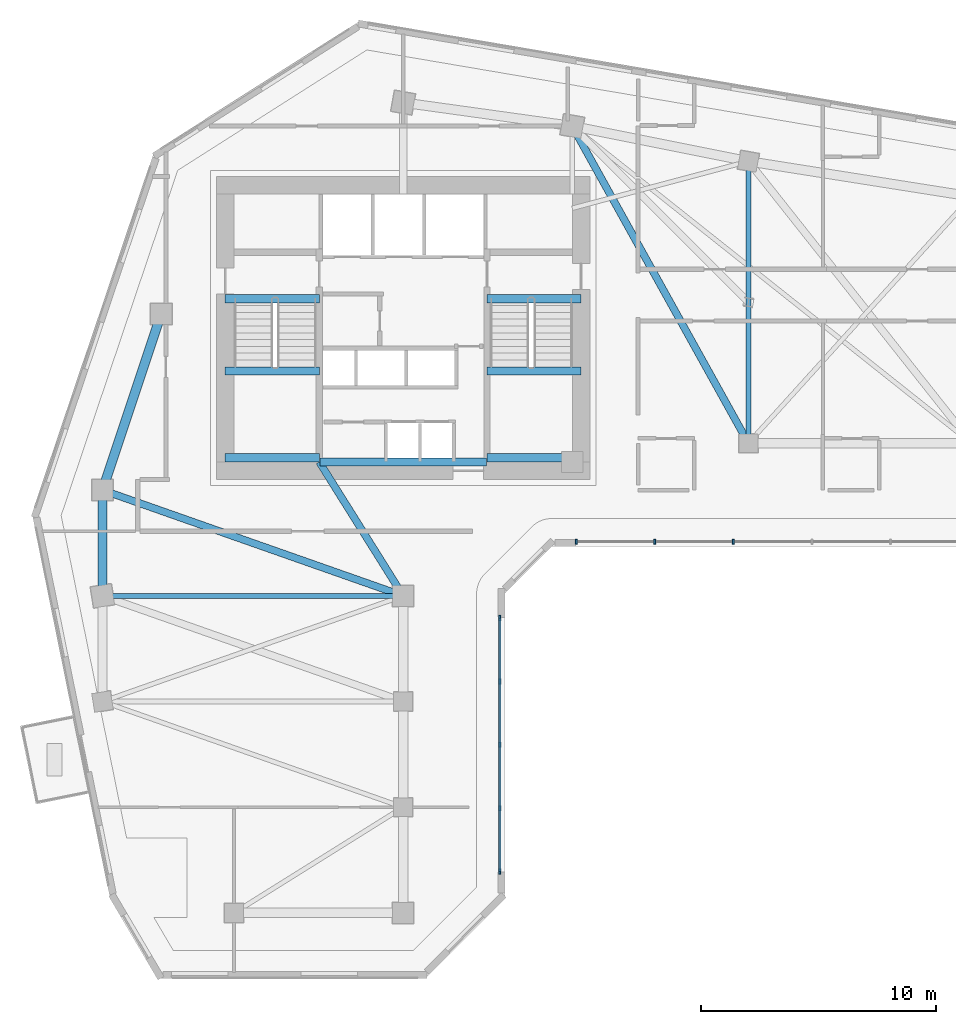
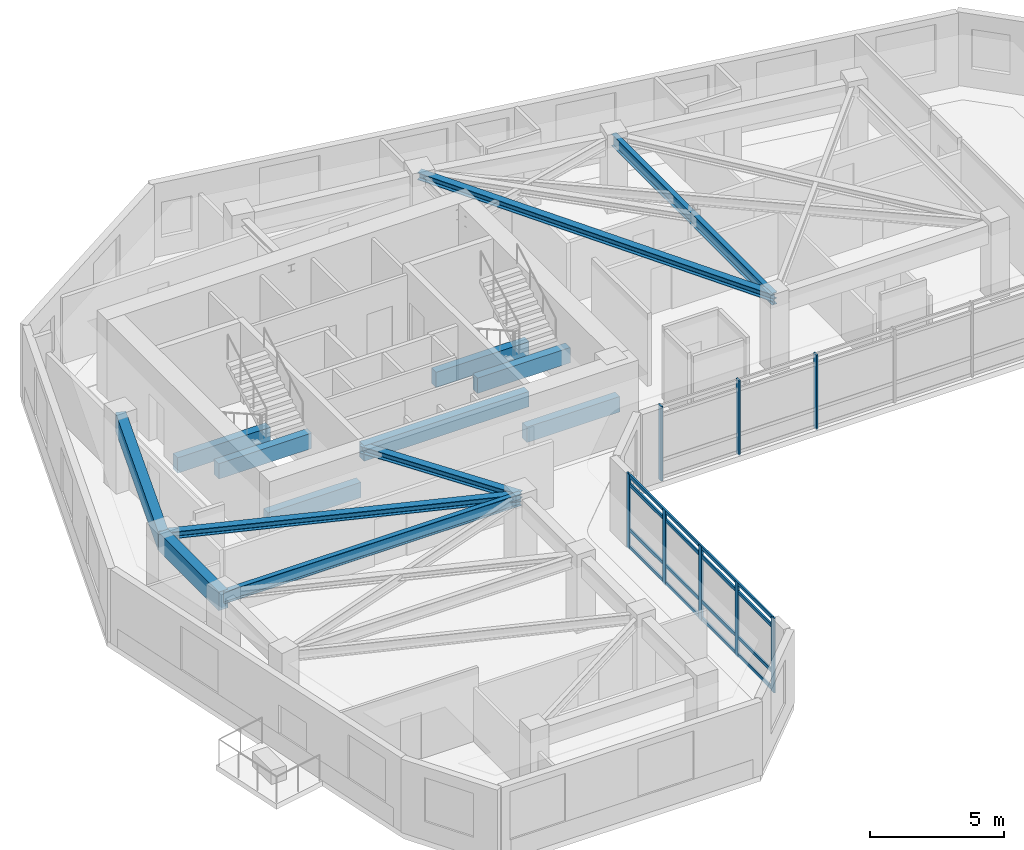
# One storey, part 2 of 11: 14 beams, 12 members, 2 elements without a shape of their own.
"""IFC4 building model written with IfcOpenShell, lengths in metres."""

from ifc_helpers import new_model, si_unit, direction, frame, origin, origin_2d, place, context, subcontext, project, spatial, rectangle, i_section, extrude, source, transform, mapped, material, material_profile, profile_set, type_object, element, aggregate, save


model = new_model("IFC4")

# Units and contexts
model_context = context("Model", 3, precision=1e-05, world=origin(), true_north=direction((0.0, 1.0)))
body_context = subcontext(model_context, "Body", "Model", "MODEL_VIEW")
ifc_project = project(units=[si_unit("LENGTHUNIT", "METRE"), si_unit("AREAUNIT", "SQUARE_METRE"), si_unit("VOLUMEUNIT", "CUBIC_METRE"), si_unit("PLANEANGLEUNIT", "RADIAN"), si_unit("MASSUNIT", "GRAM", prefix="KILO")], contexts=[model_context])

# Site, building, storey
site_placement = place(None, origin())
site = spatial("IfcSite", under=ifc_project, at=site_placement, CompositionType="ELEMENT")
building_placement = place(site_placement, origin())
building = spatial("IfcBuilding", under=site, at=building_placement, Name="Calvemar Wedge Station Tower", CompositionType="ELEMENT")
storey_placement = place(building_placement, frame((0.0, 0.0, 161.0)))
storey = spatial("IfcBuildingStorey", under=building, at=storey_placement, Name="L40", CompositionType="ELEMENT", Elevation=161.0)

# Beams
ifc_material_1 = material(Name="Concrete C60", Category="concrete")
ifc_material_profile_1 = material_profile(ifc_material_1, rectangle(XDim=0.39990234375, YDim=0.85009765625, at=origin_2d()), Name="RC400x850")
ifc_profile_set_1 = profile_set([ifc_material_profile_1], Name="Concrete C60")
beam_type_1 = type_object("IfcBeamType", Name="BM-SP1-850", PredefinedType="SPANDREL", material=ifc_profile_set_1)
shared_shape_1 = source(origin(), body_context, "Body", "SweptSolid", [
    extrude(rectangle(XDim=0.39990234375, YDim=0.85009765625, at=origin_2d()), origin(), (0.0, 0.0, 1.0), 7.90576171875),
])
beam_1_placement = place(storey_placement, frame((11.0, 33.0, 2.925048828125), z_axis=(0.316227766017, 0.948683298051, 0.0), x_axis=(-0.948683298051, 0.316227766017, 0.0)))
element("IfcBeam", 1, at=beam_1_placement, inside=storey, type_object=beam_type_1, Name="Storey L40 Spandrel T-NW1-T-NW2", PredefinedType="SPANDREL", context=body_context, shape_type="MappedRepresentation", body=[
    mapped(shared_shape_1, transform((0.0, 0.0, 0.0), scale=1.0)),
])
shared_shape_2 = source(origin(), body_context, "Body", "SweptSolid", [
    extrude(rectangle(XDim=0.39990234375, YDim=0.85009765625, at=origin_2d()), origin(), (0.0, 0.0, 1.0), 4.5),
])
beam_2_placement = place(storey_placement, frame((11.0, 33.0, 2.925048828125), z_axis=(0.0, -1.0, 0.0), x_axis=(1.0, 0.0, 0.0)))
element("IfcBeam", 2, at=beam_2_placement, inside=storey, type_object=beam_type_1, Name="Storey L40 Spandrel T-NW1-T-SW1", PredefinedType="SPANDREL", context=body_context, shape_type="MappedRepresentation", body=[
    mapped(shared_shape_2, transform((0.0, 0.0, 0.0), scale=1.0)),
])
ifc_material_2 = material(Name="Concrete C70", Category="concrete")
ifc_material_profile_2 = material_profile(ifc_material_2, rectangle(XDim=0.35009765625, YDim=0.699951171875, at=origin_2d()), Name="RC350x700")
ifc_profile_set_2 = profile_set([ifc_material_profile_2], Name="Concrete C70")
beam_type_2 = type_object("IfcBeamType", Name="BM-LN1-700", PredefinedType="LINTEL", material=ifc_profile_set_2)
shared_shape_3 = source(origin(), body_context, "Body", "SweptSolid", [
    extrude(rectangle(XDim=0.35009765625, YDim=0.699951171875, at=origin_2d()), origin(), (0.0, 0.0, 1.0), 7.10009765625),
])
beam_3_placement = place(storey_placement, frame((20.25, 34.199951171875, 3.0), z_axis=(1.0, 0.0, 0.0), x_axis=(0.0, 1.0, 0.0)))
element("IfcBeam", 3, at=beam_3_placement, inside=storey, type_object=beam_type_2, Name="Storey L40 Core Coupling Lintel South", PredefinedType="LINTEL", context=body_context, shape_type="MappedRepresentation", body=[
    mapped(shared_shape_3, transform((0.0, 0.0, 0.0), scale=1.0)),
])
ifc_material_3 = material(Name="Structural steel ASTM A572 Grade 50", Category="steel")
ifc_material_profile_3 = material_profile(ifc_material_3, i_section(OverallWidth=0.30908203125, OverallDepth=0.322998046875, WebThickness=0.013916015625, FlangeThickness=0.02294921875, FilletRadius=0.014892578125, at=origin_2d()), Name="W310x143")
ifc_profile_set_3 = profile_set([ifc_material_profile_3], Name="Structural steel ASTM A572 Grade 50")
beam_type_3 = type_object("IfcBeamType", Name="BM-J5-W310H", PredefinedType="JOIST", material=ifc_profile_set_3)
shared_shape_4 = source(origin(), body_context, "Body", "SweptSolid", [
    extrude(i_section(OverallWidth=0.30908203125, OverallDepth=0.322998046875, WebThickness=0.013916015625, FlangeThickness=0.02294921875, FilletRadius=0.014892578125, at=origin_2d()), origin(), (0.0, 0.0, 1.0), 15.443359375),
])
beam_4_placement = place(storey_placement, frame((31.0, 48.5, 3.1884765625), z_axis=(0.485642931179, -0.874157276122, 0.0), x_axis=(0.874157276122, 0.485642931179, 0.0)))
element("IfcBeam", 4, at=beam_4_placement, inside=storey, type_object=beam_type_3, Name="Storey L40 Floor Beam T-N2-T-NL2", PredefinedType="JOIST", context=body_context, shape_type="MappedRepresentation", body=[
    mapped(shared_shape_4, transform((0.0, 0.0, 0.0), scale=1.0)),
])
shared_shape_5 = source(origin(), body_context, "Body", "SweptSolid", [
    extrude(i_section(OverallWidth=0.30908203125, OverallDepth=0.322998046875, WebThickness=0.013916015625, FlangeThickness=0.02294921875, FilletRadius=0.014892578125, at=origin_2d()), origin(), (0.0, 0.0, 1.0), 13.568115234375),
])
beam_5_placement = place(storey_placement, frame((11.0, 33.0, 3.1884765625), z_axis=(0.943398221169, -0.331662171939, 0.0), x_axis=(0.331662171939, 0.943398221169, 0.0)))
element("IfcBeam", 5, at=beam_5_placement, inside=storey, type_object=beam_type_3, Name="Storey L40 Floor Beam T-NW1-T-SE1", PredefinedType="JOIST", context=body_context, shape_type="MappedRepresentation", body=[
    mapped(shared_shape_5, transform((0.0, 0.0, 0.0), scale=1.0)),
])
shared_shape_6 = source(origin(), body_context, "Body", "SweptSolid", [
    extrude(i_section(OverallWidth=0.30908203125, OverallDepth=0.322998046875, WebThickness=0.013916015625, FlangeThickness=0.02294921875, FilletRadius=0.014892578125, at=origin_2d()), origin(), (0.0, 0.0, 1.0), 6.7255859375),
])
beam_6_placement = place(storey_placement, frame((20.22998046875, 34.199951171875, 3.1884765625), z_axis=(0.530811158438, -0.847490126242, 0.0), x_axis=(0.847490126242, 0.530811158438, 0.0)))
element("IfcBeam", 6, at=beam_6_placement, inside=storey, type_object=beam_type_3, Name="Storey L40 Core-to-Column Joist CJ-S2", PredefinedType="JOIST", context=body_context, shape_type="MappedRepresentation", body=[
    mapped(shared_shape_6, transform((0.0, 0.0, 0.0), scale=1.0)),
])
shared_shape_7 = source(origin(), body_context, "Body", "SweptSolid", [
    extrude(rectangle(XDim=0.35009765625, YDim=0.699951171875, at=origin_2d()), origin(), (0.0, 0.0, 1.0), 4.0048828125),
])
for number, where, z_axis, x_axis, name in (
    (7, (16.22509765625, 41.14990234375, -0.35009765625), (1.0, 0.0, 0.0), (0.0, 1.0, 0.0), "Storey L40 Stair ST-C1 Landing Trimmer Beam"),
    (8, (27.3701171875, 41.14990234375, -0.35009765625), (1.0, 0.0, 0.0), (0.0, 1.0, 0.0), "Storey L40 Stair ST-C2 Landing Trimmer Beam"),
    (9, (16.22509765625, 34.3798828125, 1.25), (1.0, 0.0, 0.0), (0.0, 1.0, 0.0), "Storey L40 Stair ST-C1 Half-Landing Beam 1A"),
    (10, (16.22509765625, 38.070068359375, 1.25), (1.0, 0.0, 0.0), (0.0, 1.0, 0.0), "Storey L40 Stair ST-C1 Half-Landing Beam 1B"),
    (11, (27.3701171875, 34.3798828125, 1.25), (1.0, 0.0, 0.0), (0.0, 1.0, 0.0), "Storey L40 Stair ST-C2 Half-Landing Beam 1A"),
    (12, (27.3701171875, 38.070068359375, 1.25), (1.0, 0.0, 0.0), (0.0, 1.0, 0.0), "Storey L40 Stair ST-C2 Half-Landing Beam 1B"),
):
    element("IfcBeam", number, at=place(storey_placement, frame(where, z_axis=z_axis, x_axis=x_axis)), inside=storey, type_object=beam_type_2, Name=name, PredefinedType="LINTEL", context=body_context, shape_type="MappedRepresentation", body=[
        mapped(shared_shape_7, transform((0.0, 0.0, 0.0), scale=1.0)),
    ])
ifc_material_profile_4 = material_profile(ifc_material_3, i_section(OverallWidth=0.2109375, OverallDepth=0.5390625, WebThickness=0.01171875, FlangeThickness=0.018798828125, FilletRadius=0.012939453125, at=origin_2d()), Name="W530x109")
ifc_profile_set_4 = profile_set([ifc_material_profile_4], Name="Structural steel ASTM A572 Grade 50")
beam_type_4 = type_object("IfcBeamType", Name="BM-SB4-W530", PredefinedType="BEAM", material=ifc_profile_set_4)
shared_shape_8 = source(origin(), body_context, "Body", "SweptSolid", [
    extrude(i_section(OverallWidth=0.2109375, OverallDepth=0.5390625, WebThickness=0.01171875, FlangeThickness=0.018798828125, FilletRadius=0.012939453125, at=origin_2d()), origin(), (0.0, 0.0, 1.0), 12.0),
])
beam_7_placement = place(storey_placement, frame((38.5, 47.0, 3.08056640625), z_axis=(0.0, -1.0, 0.0), x_axis=(1.0, 0.0, 0.0)))
element("IfcBeam", 13, at=beam_7_placement, inside=storey, type_object=beam_type_4, Name="Storey L40 Floor Beam T-NU3-T-NL2", PredefinedType="BEAM", context=body_context, shape_type="MappedRepresentation", body=[
    mapped(shared_shape_8, transform((0.0, 0.0, 0.0), scale=1.0)),
])
shared_shape_9 = source(origin(), body_context, "Body", "SweptSolid", [
    extrude(i_section(OverallWidth=0.2109375, OverallDepth=0.5390625, WebThickness=0.01171875, FlangeThickness=0.018798828125, FilletRadius=0.012939453125, at=origin_2d()), origin(), (0.0, 0.0, 1.0), 12.800048828125),
])
beam_8_placement = place(storey_placement, frame((11.0, 28.5, 3.08056640625), z_axis=(1.0, 0.0, 0.0), x_axis=(0.0, 1.0, 0.0)))
element("IfcBeam", 14, at=beam_8_placement, inside=storey, type_object=beam_type_4, Name="Storey L40 Floor Beam T-SW1-T-SE1", PredefinedType="BEAM", context=body_context, shape_type="MappedRepresentation", body=[
    mapped(shared_shape_9, transform((0.0, 0.0, 0.0), scale=1.0)),
])

# Curtain wall, members
ifc_material_4 = material(Name="Anodised aluminium 6063-T6", Category="aluminium")
curtain_wall_type = type_object("IfcCurtainWallType", Name="CW2", PredefinedType="NOTDEFINED", material=ifc_material_4)
curtain_wall_1_placement = place(storey_placement, origin())
curtain_wall_1 = element("IfcCurtainWall", 15, at=curtain_wall_1_placement, inside=storey, type_object=curtain_wall_type, Name="Storey L40 CW2 Recessed Unitised Curtain Wall 4", PredefinedType="NOTDEFINED")
ifc_material_profile_5 = material_profile(ifc_material_4, rectangle(XDim=0.074951171875, YDim=0.219970703125, at=origin_2d()), Name="AL-MUL-75x220")
ifc_profile_set_5 = profile_set([ifc_material_profile_5], Name="Anodised aluminium 6063-T6")
member_type_1 = type_object("IfcMemberType", Name="CW2-MUL", PredefinedType="MULLION", material=ifc_profile_set_5)
shared_shape_10 = source(origin(), body_context, "Body", "SweptSolid", [
    extrude(rectangle(XDim=0.074951171875, YDim=0.219970703125, at=origin_2d()), origin(), (0.0, 0.0, 1.0), 3.400146484375),
])
member_1_placement = place(storey_placement, frame((27.91796875, 16.76220703125, -0.050048828125), z_axis=(0.0, 0.0, 1.0), x_axis=(1.0, 0.0, 0.0)))
member_1 = element("IfcMember", 16, at=member_1_placement, type_object=member_type_1, Name="CW2 mullion 1", PredefinedType="MULLION", context=body_context, shape_type="MappedRepresentation", body=[
    mapped(shared_shape_10, transform((0.0, 0.0, 0.0), scale=1.0)),
])
member_2_placement = place(storey_placement, frame((27.91796875, 19.460205078125, -0.050048828125), z_axis=(0.0, 0.0, 1.0), x_axis=(1.0, 0.0, 0.0)))
member_2 = element("IfcMember", 17, at=member_2_placement, type_object=member_type_1, Name="CW2 mullion 2", PredefinedType="MULLION", context=body_context, shape_type="MappedRepresentation", body=[
    mapped(shared_shape_10, transform((0.0, 0.0, 0.0), scale=1.0)),
])
member_3_placement = place(storey_placement, frame((27.91796875, 22.158203125, -0.050048828125), z_axis=(0.0, 0.0, 1.0), x_axis=(1.0, 0.0, 0.0)))
member_3 = element("IfcMember", 18, at=member_3_placement, type_object=member_type_1, Name="CW2 mullion 3", PredefinedType="MULLION", context=body_context, shape_type="MappedRepresentation", body=[
    mapped(shared_shape_10, transform((0.0, 0.0, 0.0), scale=1.0)),
])
member_4_placement = place(storey_placement, frame((27.91796875, 24.856201171875, -0.050048828125), z_axis=(0.0, 0.0, 1.0), x_axis=(1.0, 0.0, 0.0)))
member_4 = element("IfcMember", 19, at=member_4_placement, type_object=member_type_1, Name="CW2 mullion 4", PredefinedType="MULLION", context=body_context, shape_type="MappedRepresentation", body=[
    mapped(shared_shape_10, transform((0.0, 0.0, 0.0), scale=1.0)),
])
member_5_placement = place(storey_placement, frame((27.91796875, 27.55419921875, -0.050048828125), z_axis=(0.0, 0.0, 1.0), x_axis=(1.0, 0.0, 0.0)))
member_5 = element("IfcMember", 20, at=member_5_placement, type_object=member_type_1, Name="CW2 mullion 5", PredefinedType="MULLION", context=body_context, shape_type="MappedRepresentation", body=[
    mapped(shared_shape_10, transform((0.0, 0.0, 0.0), scale=1.0)),
])

curtain_wall_2_placement = place(storey_placement, origin())
curtain_wall_2 = element("IfcCurtainWall", 21, at=curtain_wall_2_placement, inside=storey, type_object=curtain_wall_type, Name="Storey L40 CW2 Recessed Unitised Curtain Wall 6", PredefinedType="NOTDEFINED")
member_6_placement = place(storey_placement, frame((31.166015625, 30.802001953125, -0.050048828125), z_axis=(0.0, 0.0, 1.0), x_axis=(1.0, 0.0, 0.0)))
member_6 = element("IfcMember", 22, at=member_6_placement, type_object=member_type_1, Name="CW2 mullion 1", PredefinedType="MULLION", context=body_context, shape_type="MappedRepresentation", body=[
    mapped(shared_shape_10, transform((0.0, 0.0, 0.0), scale=1.0)),
])
member_7_placement = place(storey_placement, frame((34.51123046875, 30.802001953125, -0.050048828125), z_axis=(0.0, 0.0, 1.0), x_axis=(1.0, 0.0, 0.0)))
member_7 = element("IfcMember", 23, at=member_7_placement, type_object=member_type_1, Name="CW2 mullion 2", PredefinedType="MULLION", context=body_context, shape_type="MappedRepresentation", body=[
    mapped(shared_shape_10, transform((0.0, 0.0, 0.0), scale=1.0)),
])
member_8_placement = place(storey_placement, frame((37.856689453125, 30.802001953125, -0.050048828125), z_axis=(0.0, 0.0, 1.0), x_axis=(1.0, 0.0, 0.0)))
member_8 = element("IfcMember", 24, at=member_8_placement, type_object=member_type_1, Name="CW2 mullion 3", PredefinedType="MULLION", context=body_context, shape_type="MappedRepresentation", body=[
    mapped(shared_shape_10, transform((0.0, 0.0, 0.0), scale=1.0)),
])
aggregate(curtain_wall_2, [member_6, member_7, member_8])

# Member
ifc_material_profile_6 = material_profile(ifc_material_4, rectangle(XDim=0.074951171875, YDim=0.14990234375, at=origin_2d()), Name="AL-TRN-75x150")
ifc_profile_set_6 = profile_set([ifc_material_profile_6], Name="Anodised aluminium 6063-T6")
member_type_2 = type_object("IfcMemberType", Name="CW2-TRN", PredefinedType="USERDEFINED", material=ifc_profile_set_6)
shared_shape_11 = source(origin(), body_context, "Body", "SweptSolid", [
    extrude(rectangle(XDim=0.074951171875, YDim=0.14990234375, at=origin_2d()), origin(), (0.0, 0.0, 1.0), 10.7919921875),
])
member_9_placement = place(storey_placement, frame((27.91796875, 16.76220703125, 0.06005859375), z_axis=(0.0, 1.0, 0.0), x_axis=(-1.0, 0.0, 0.0)))
member_9 = element("IfcMember", 25, at=member_9_placement, type_object=member_type_2, Name="CW2 transom 1", ObjectType="TRANSOM", PredefinedType="USERDEFINED", context=body_context, shape_type="MappedRepresentation", body=[
    mapped(shared_shape_11, transform((0.0, 0.0, 0.0), scale=1.0)),
])

member_10_placement = place(storey_placement, frame((27.91796875, 16.76220703125, 0.85009765625), z_axis=(0.0, 1.0, 0.0), x_axis=(-1.0, 0.0, 0.0)))
member_10 = element("IfcMember", 26, at=member_10_placement, type_object=member_type_2, Name="CW2 transom 2", ObjectType="TRANSOM", PredefinedType="USERDEFINED", context=body_context, shape_type="MappedRepresentation", body=[
    mapped(shared_shape_11, transform((0.0, 0.0, 0.0), scale=1.0)),
])

member_11_placement = place(storey_placement, frame((27.91796875, 16.76220703125, 2.89990234375), z_axis=(0.0, 1.0, 0.0), x_axis=(-1.0, 0.0, 0.0)))
member_11 = element("IfcMember", 27, at=member_11_placement, type_object=member_type_2, Name="CW2 transom 3", ObjectType="TRANSOM", PredefinedType="USERDEFINED", context=body_context, shape_type="MappedRepresentation", body=[
    mapped(shared_shape_11, transform((0.0, 0.0, 0.0), scale=1.0)),
])

member_12_placement = place(storey_placement, frame((27.91796875, 16.76220703125, 3.2900390625), z_axis=(0.0, 1.0, 0.0), x_axis=(-1.0, 0.0, 0.0)))
member_12 = element("IfcMember", 28, at=member_12_placement, type_object=member_type_2, Name="CW2 transom 4", ObjectType="TRANSOM", PredefinedType="USERDEFINED", context=body_context, shape_type="MappedRepresentation", body=[
    mapped(shared_shape_11, transform((0.0, 0.0, 0.0), scale=1.0)),
])

aggregate(curtain_wall_1, [member_1, member_2, member_3, member_4, member_5, member_9, member_10, member_11, member_12])

save(model, "model.ifc")
